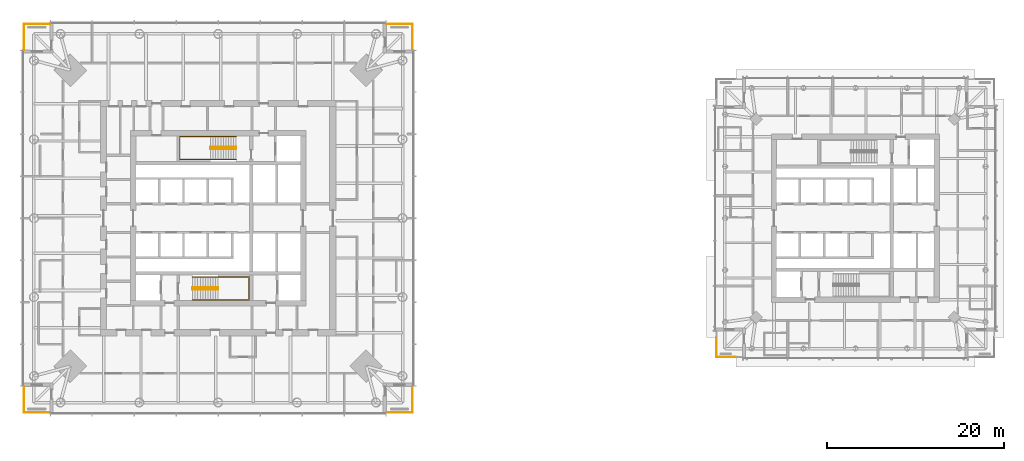
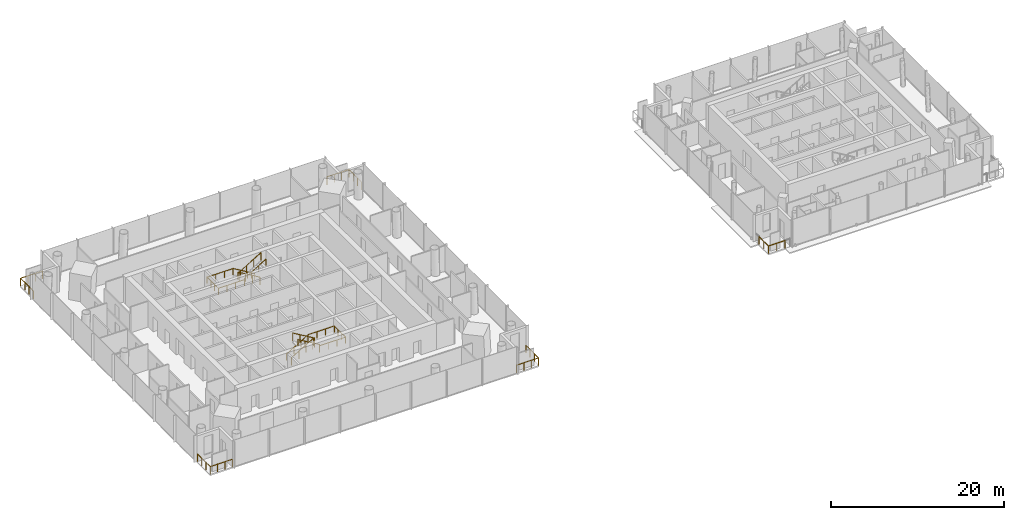
# One storey, part 18 of 19: 9 railings.
"""IFC4 building model written with IfcOpenShell, lengths in metres."""

from ifc_helpers import new_model, si_unit, direction, frame, origin, origin_2d, place, context, subcontext, project, spatial, circle, extrude, material, type_object, element, save


model = new_model("IFC4")

# Units and contexts
model_context = context("Model", 3, precision=1e-05, world=origin(), true_north=direction((0.0, 1.0)))
body_context = subcontext(model_context, "Body", "Model", "MODEL_VIEW")
ifc_project = project(units=[si_unit("LENGTHUNIT", "METRE"), si_unit("AREAUNIT", "SQUARE_METRE"), si_unit("VOLUMEUNIT", "CUBIC_METRE"), si_unit("PLANEANGLEUNIT", "RADIAN"), si_unit("MASSUNIT", "GRAM", prefix="KILO")], contexts=[model_context])

# Site, building, storey
site_placement = place(None, origin())
site = spatial("IfcSite", under=ifc_project, at=site_placement, CompositionType="ELEMENT")
building_placement = place(site_placement, origin())
building = spatial("IfcBuilding", under=site, at=building_placement, Name="Ostroluk Exchange", CompositionType="ELEMENT")
storey_placement = place(building_placement, frame((0.0, 0.0, 119.800048828125)))
storey = spatial("IfcBuildingStorey", under=building, at=storey_placement, Name="L30", CompositionType="ELEMENT", Elevation=119.800048828125)

# Railings
ifc_material_1 = material(Name="Stainless steel", Category="steel")
railing_type_1 = type_object("IfcRailingType", Name="Guard 1100 stainless steel", PredefinedType="GUARDRAIL", material=ifc_material_1)
railing_1_placement = place(storey_placement, frame((64.0, 24.050048828125, 0.0)))
element("IfcRailing", 1, at=railing_1_placement, inside=storey, type_object=railing_type_1, Name="Office tower SE balcony guard L30", PredefinedType="GUARDRAIL", context=body_context, shape_type="SweptSolid", body=[
    extrude(circle(Radius=0.02392578125, at=origin_2d()), frame((0.0, 0.0, 1.076171875), z_axis=(1.0, 0.0, 0.0), x_axis=(0.0, 1.0, 0.0)), (0.0, 0.0, 1.0), 2.949951171875),
    extrude(circle(Radius=0.02392578125, at=origin_2d()), frame((2.949951171875, 0.0, 1.076171875), z_axis=(0.0, 1.0, 0.0), x_axis=(-1.0, 0.0, 0.0)), (0.0, 0.0, 1.0), 2.949951171875),
    extrude(circle(Radius=0.02099609375, at=origin_2d()), origin(), (0.0, 0.0, 1.0), 1.052001953125),
    extrude(circle(Radius=0.02099609375, at=origin_2d()), frame((0.9833984375, 0.0, 0.0)), (0.0, 0.0, 1.0), 1.052001953125),
    extrude(circle(Radius=0.02099609375, at=origin_2d()), frame((1.966552734375, 0.0, 0.0)), (0.0, 0.0, 1.0), 1.052001953125),
    extrude(circle(Radius=0.02099609375, at=origin_2d()), frame((2.949951171875, 0.0, 0.0)), (0.0, 0.0, 1.0), 1.052001953125),
    extrude(circle(Radius=0.02099609375, at=origin_2d()), frame((2.949951171875, 0.9833984375, 0.0)), (0.0, 0.0, 1.0), 1.052001953125),
    extrude(circle(Radius=0.02099609375, at=origin_2d()), frame((2.949951171875, 1.966552734375, 0.0)), (0.0, 0.0, 1.0), 1.052001953125),
    extrude(circle(Radius=0.02099609375, at=origin_2d()), frame((2.949951171875, 2.949951171875, 0.0)), (0.0, 0.0, 1.0), 1.052001953125),
])
railing_2_placement = place(storey_placement, frame((64.0, 67.949951171875, 0.0)))
element("IfcRailing", 2, at=railing_2_placement, inside=storey, type_object=railing_type_1, Name="Office tower NE balcony guard L30", PredefinedType="GUARDRAIL", context=body_context, shape_type="SweptSolid", body=[
    extrude(circle(Radius=0.02392578125, at=origin_2d()), frame((0.0, 0.0, 1.076171875), z_axis=(1.0, 0.0, 0.0), x_axis=(0.0, 1.0, 0.0)), (0.0, 0.0, 1.0), 2.949951171875),
    extrude(circle(Radius=0.02392578125, at=origin_2d()), frame((2.949951171875, 0.0, 1.076171875), z_axis=(0.0, -1.0, 0.0), x_axis=(1.0, 0.0, 0.0)), (0.0, 0.0, 1.0), 2.949951171875),
    extrude(circle(Radius=0.02099609375, at=origin_2d()), origin(), (0.0, 0.0, 1.0), 1.052001953125),
    extrude(circle(Radius=0.02099609375, at=origin_2d()), frame((0.9833984375, 0.0, 0.0)), (0.0, 0.0, 1.0), 1.052001953125),
    extrude(circle(Radius=0.02099609375, at=origin_2d()), frame((1.966552734375, 0.0, 0.0)), (0.0, 0.0, 1.0), 1.052001953125),
    extrude(circle(Radius=0.02099609375, at=origin_2d()), frame((2.949951171875, 0.0, 0.0)), (0.0, 0.0, 1.0), 1.052001953125),
    extrude(circle(Radius=0.02099609375, at=origin_2d()), frame((2.949951171875, -0.9833984375, 0.0)), (0.0, 0.0, 1.0), 1.052001953125),
    extrude(circle(Radius=0.02099609375, at=origin_2d()), frame((2.949951171875, -1.966552734375, 0.0)), (0.0, 0.0, 1.0), 1.052001953125),
    extrude(circle(Radius=0.02099609375, at=origin_2d()), frame((2.949951171875, -2.949951171875, 0.0)), (0.0, 0.0, 1.0), 1.052001953125),
])
railing_3_placement = place(storey_placement, frame((26.0, 67.949951171875, 0.0)))
element("IfcRailing", 3, at=railing_3_placement, inside=storey, type_object=railing_type_1, Name="Office tower NW balcony guard L30", PredefinedType="GUARDRAIL", context=body_context, shape_type="SweptSolid", body=[
    extrude(circle(Radius=0.02392578125, at=origin_2d()), frame((0.0, 0.0, 1.076171875), z_axis=(-1.0, 0.0, 0.0), x_axis=(0.0, -1.0, 0.0)), (0.0, 0.0, 1.0), 2.949951171875),
    extrude(circle(Radius=0.02392578125, at=origin_2d()), frame((-2.949951171875, 0.0, 1.076171875), z_axis=(0.0, -1.0, 0.0), x_axis=(1.0, 0.0, 0.0)), (0.0, 0.0, 1.0), 2.949951171875),
    extrude(circle(Radius=0.02099609375, at=origin_2d()), origin(), (0.0, 0.0, 1.0), 1.052001953125),
    extrude(circle(Radius=0.02099609375, at=origin_2d()), frame((-0.9833984375, 0.0, 0.0)), (0.0, 0.0, 1.0), 1.052001953125),
    extrude(circle(Radius=0.02099609375, at=origin_2d()), frame((-1.966552734375, 0.0, 0.0)), (0.0, 0.0, 1.0), 1.052001953125),
    extrude(circle(Radius=0.02099609375, at=origin_2d()), frame((-2.949951171875, 0.0, 0.0)), (0.0, 0.0, 1.0), 1.052001953125),
    extrude(circle(Radius=0.02099609375, at=origin_2d()), frame((-2.949951171875, -0.9833984375, 0.0)), (0.0, 0.0, 1.0), 1.052001953125),
    extrude(circle(Radius=0.02099609375, at=origin_2d()), frame((-2.949951171875, -1.966552734375, 0.0)), (0.0, 0.0, 1.0), 1.052001953125),
    extrude(circle(Radius=0.02099609375, at=origin_2d()), frame((-2.949951171875, -2.949951171875, 0.0)), (0.0, 0.0, 1.0), 1.052001953125),
])
railing_4_placement = place(storey_placement, frame((26.0, 24.050048828125, 0.0)))
element("IfcRailing", 4, at=railing_4_placement, inside=storey, type_object=railing_type_1, Name="Office tower SW balcony guard L30", PredefinedType="GUARDRAIL", context=body_context, shape_type="SweptSolid", body=[
    extrude(circle(Radius=0.02392578125, at=origin_2d()), frame((0.0, 0.0, 1.076171875), z_axis=(-1.0, 0.0, 0.0), x_axis=(0.0, -1.0, 0.0)), (0.0, 0.0, 1.0), 2.949951171875),
    extrude(circle(Radius=0.02392578125, at=origin_2d()), frame((-2.949951171875, 0.0, 1.076171875), z_axis=(0.0, 1.0, 0.0), x_axis=(-1.0, 0.0, 0.0)), (0.0, 0.0, 1.0), 2.949951171875),
    extrude(circle(Radius=0.02099609375, at=origin_2d()), origin(), (0.0, 0.0, 1.0), 1.052001953125),
    extrude(circle(Radius=0.02099609375, at=origin_2d()), frame((-0.9833984375, 0.0, 0.0)), (0.0, 0.0, 1.0), 1.052001953125),
    extrude(circle(Radius=0.02099609375, at=origin_2d()), frame((-1.966552734375, 0.0, 0.0)), (0.0, 0.0, 1.0), 1.052001953125),
    extrude(circle(Radius=0.02099609375, at=origin_2d()), frame((-2.949951171875, 0.0, 0.0)), (0.0, 0.0, 1.0), 1.052001953125),
    extrude(circle(Radius=0.02099609375, at=origin_2d()), frame((-2.949951171875, 0.9833984375, 0.0)), (0.0, 0.0, 1.0), 1.052001953125),
    extrude(circle(Radius=0.02099609375, at=origin_2d()), frame((-2.949951171875, 1.966552734375, 0.0)), (0.0, 0.0, 1.0), 1.052001953125),
    extrude(circle(Radius=0.02099609375, at=origin_2d()), frame((-2.949951171875, 2.949951171875, 0.0)), (0.0, 0.0, 1.0), 1.052001953125),
])
railing_5_placement = place(storey_placement, frame((103.5, 30.300048828125, 0.0)))
element("IfcRailing", 5, at=railing_5_placement, inside=storey, type_object=railing_type_1, Name="Hotel tower SW balcony guard L30", PredefinedType="GUARDRAIL", context=body_context, shape_type="SweptSolid", body=[
    extrude(circle(Radius=0.02392578125, at=origin_2d()), frame((0.0, 0.0, 1.076171875), z_axis=(-1.0, 0.0, 0.0), x_axis=(0.0, -1.0, 0.0)), (0.0, 0.0, 1.0), 2.199951171875),
    extrude(circle(Radius=0.02392578125, at=origin_2d()), frame((-2.199951171875, 0.0, 1.076171875), z_axis=(0.0, 1.0, 0.0), x_axis=(-1.0, 0.0, 0.0)), (0.0, 0.0, 1.0), 2.199951171875),
    extrude(circle(Radius=0.02099609375, at=origin_2d()), origin(), (0.0, 0.0, 1.0), 1.052001953125),
    extrude(circle(Radius=0.02099609375, at=origin_2d()), frame((-1.10009765625, 0.0, 0.0)), (0.0, 0.0, 1.0), 1.052001953125),
    extrude(circle(Radius=0.02099609375, at=origin_2d()), frame((-2.199951171875, 0.0, 0.0)), (0.0, 0.0, 1.0), 1.052001953125),
    extrude(circle(Radius=0.02099609375, at=origin_2d()), frame((-2.199951171875, 1.10009765625, 0.0)), (0.0, 0.0, 1.0), 1.052001953125),
    extrude(circle(Radius=0.02099609375, at=origin_2d()), frame((-2.199951171875, 2.199951171875, 0.0)), (0.0, 0.0, 1.0), 1.052001953125),
])
ifc_material_2 = material(Name="Steel S355", Category="steel")
railing_type_2 = type_object("IfcRailingType", Name="Stair guard 1100", PredefinedType="GUARDRAIL", material=ifc_material_2)
railing_6_placement = place(storey_placement, frame((42.10009765625, 38.179931640625, 0.172607421875)))
element("IfcRailing", 6, at=railing_6_placement, inside=storey, type_object=railing_type_2, Name="Stair T1-S1 guard L30", PredefinedType="GUARDRAIL", context=body_context, shape_type="SweptSolid", body=[
    extrude(circle(Radius=0.02392578125, at=origin_2d()), frame((0.0, 0.0, 1.076171875), z_axis=(0.859141464434, 0.0, 0.511738159696), x_axis=(0.0, 1.0, 0.0)), (0.0, 0.0, 1.0), 3.375244140625),
    extrude(circle(Radius=0.02392578125, at=origin_2d()), frame((2.89990234375, 0.0, 2.80322265625), z_axis=(0.0, -1.0, 0.0), x_axis=(1.0, 0.0, 0.0)), (0.0, 0.0, 1.0), 0.260009765625),
    extrude(circle(Radius=0.02392578125, at=origin_2d()), frame((2.89990234375, -0.260009765625, 2.80322265625), z_axis=(0.0, 0.0, 1.0), x_axis=(1.0, 0.0, 0.0)), (0.0, 0.0, 1.0), 0.1728515625),
    extrude(circle(Radius=0.02392578125, at=origin_2d()), frame((2.89990234375, -0.260009765625, 2.97607421875), z_axis=(-0.859141464434, 0.0, 0.511738159696), x_axis=(0.0, -1.0, 0.0)), (0.0, 0.0, 1.0), 3.375244140625),
    extrude(circle(Radius=0.02099609375, at=origin_2d()), origin(), (0.0, 0.0, 1.0), 1.052001953125),
    extrude(circle(Radius=0.02099609375, at=origin_2d()), frame((0.966552734375, 0.0, 0.57568359375)), (0.0, 0.0, 1.0), 1.052001953125),
    extrude(circle(Radius=0.02099609375, at=origin_2d()), frame((1.933349609375, 0.0, 1.151611328125)), (0.0, 0.0, 1.0), 1.052001953125),
    extrude(circle(Radius=0.02099609375, at=origin_2d()), frame((2.89990234375, 0.0, 1.727294921875)), (0.0, 0.0, 1.0), 1.052001953125),
    extrude(circle(Radius=0.02099609375, at=origin_2d()), frame((2.89990234375, -0.260009765625, 1.727294921875)), (0.0, 0.0, 1.0), 1.052001953125),
    extrude(circle(Radius=0.02099609375, at=origin_2d()), frame((2.89990234375, -0.260009765625, 1.900146484375)), (0.0, 0.0, 1.0), 1.052001953125),
    extrude(circle(Radius=0.02099609375, at=origin_2d()), frame((1.933349609375, -0.260009765625, 2.475830078125)), (0.0, 0.0, 1.0), 1.052001953125),
    extrude(circle(Radius=0.02099609375, at=origin_2d()), frame((0.966552734375, -0.260009765625, 3.0517578125)), (0.0, 0.0, 1.0), 1.052001953125),
    extrude(circle(Radius=0.02099609375, at=origin_2d()), frame((0.0, -0.260009765625, 3.62744140625)), (0.0, 0.0, 1.0), 1.052001953125),
])
railing_7_placement = place(storey_placement, frame((47.030029296875, 54.080078125, 0.172607421875)))
element("IfcRailing", 7, at=railing_7_placement, inside=storey, type_object=railing_type_2, Name="Stair T1-S2 guard L30", PredefinedType="GUARDRAIL", context=body_context, shape_type="SweptSolid", body=[
    extrude(circle(Radius=0.02392578125, at=origin_2d()), frame((0.0, 0.0, 1.076171875), z_axis=(-0.859160404282, 0.0, 0.51170636083), x_axis=(0.0, -1.0, 0.0)), (0.0, 0.0, 1.0), 3.37548828125),
    extrude(circle(Radius=0.02392578125, at=origin_2d()), frame((-2.900146484375, 0.0, 2.80322265625), z_axis=(0.0, -1.0, 0.0), x_axis=(1.0, 0.0, 0.0)), (0.0, 0.0, 1.0), 0.260009765625),
    extrude(circle(Radius=0.02392578125, at=origin_2d()), frame((-2.900146484375, -0.260009765625, 2.80322265625), z_axis=(0.0, 0.0, 1.0), x_axis=(1.0, 0.0, 0.0)), (0.0, 0.0, 1.0), 0.1728515625),
    extrude(circle(Radius=0.02392578125, at=origin_2d()), frame((-2.900146484375, -0.260009765625, 2.97607421875), z_axis=(0.859160404282, 0.0, 0.51170636083), x_axis=(0.0, 1.0, 0.0)), (0.0, 0.0, 1.0), 3.37548828125),
    extrude(circle(Radius=0.02099609375, at=origin_2d()), origin(), (0.0, 0.0, 1.0), 1.052001953125),
    extrude(circle(Radius=0.02099609375, at=origin_2d()), frame((-0.966796875, 0.0, 0.57568359375)), (0.0, 0.0, 1.0), 1.052001953125),
    extrude(circle(Radius=0.02099609375, at=origin_2d()), frame((-1.933349609375, 0.0, 1.151611328125)), (0.0, 0.0, 1.0), 1.052001953125),
    extrude(circle(Radius=0.02099609375, at=origin_2d()), frame((-2.900146484375, 0.0, 1.727294921875)), (0.0, 0.0, 1.0), 1.052001953125),
    extrude(circle(Radius=0.02099609375, at=origin_2d()), frame((-2.900146484375, -0.260009765625, 1.727294921875)), (0.0, 0.0, 1.0), 1.052001953125),
    extrude(circle(Radius=0.02099609375, at=origin_2d()), frame((-2.900146484375, -0.260009765625, 1.900146484375)), (0.0, 0.0, 1.0), 1.052001953125),
    extrude(circle(Radius=0.02099609375, at=origin_2d()), frame((-1.933349609375, -0.260009765625, 2.475830078125)), (0.0, 0.0, 1.0), 1.052001953125),
    extrude(circle(Radius=0.02099609375, at=origin_2d()), frame((-0.966796875, -0.260009765625, 3.0517578125)), (0.0, 0.0, 1.0), 1.052001953125),
    extrude(circle(Radius=0.02099609375, at=origin_2d()), frame((0.0, -0.260009765625, 3.62744140625)), (0.0, 0.0, 1.0), 1.052001953125),
])
ifc_material_3 = material(Name="Stainless steel", Category="steel")
railing_type_3 = type_object("IfcRailingType", Name="Stair handrail 900", PredefinedType="HANDRAIL", material=ifc_material_3)
railing_8_placement = place(storey_placement, frame((42.10009765625, 39.35009765625, 0.172607421875)))
element("IfcRailing", 8, at=railing_8_placement, inside=storey, type_object=railing_type_3, Name="Stair T1-S1 handrail L30", PredefinedType="HANDRAIL", context=body_context, shape_type="SweptSolid", body=[
    extrude(circle(Radius=0.02392578125, at=origin_2d()), frame((0.0, 0.0, 0.8759765625), z_axis=(0.859141464434, 0.0, 0.511738159696), x_axis=(0.0, 1.0, 0.0)), (0.0, 0.0, 1.0), 3.375244140625),
    extrude(circle(Radius=0.02392578125, at=origin_2d()), frame((2.89990234375, 0.0, 2.60302734375), z_axis=(1.0, 0.0, 0.0), x_axis=(0.0, 1.0, 0.0)), (0.0, 0.0, 1.0), 3.47998046875),
    extrude(circle(Radius=0.02392578125, at=origin_2d()), frame((6.3798828125, 0.0, 2.60302734375), z_axis=(0.0, -1.0, 0.0), x_axis=(1.0, 0.0, 0.0)), (0.0, 0.0, 1.0), 2.60009765625),
    extrude(circle(Radius=0.02392578125, at=origin_2d()), frame((6.3798828125, -2.60009765625, 2.60302734375), z_axis=(-1.0, 0.0, 0.0), x_axis=(0.0, -1.0, 0.0)), (0.0, 0.0, 1.0), 3.47998046875),
    extrude(circle(Radius=0.02392578125, at=origin_2d()), frame((2.89990234375, -2.60009765625, 2.60302734375), z_axis=(0.0, 0.0, 1.0), x_axis=(1.0, 0.0, 0.0)), (0.0, 0.0, 1.0), 0.1728515625),
    extrude(circle(Radius=0.02392578125, at=origin_2d()), frame((2.89990234375, -2.60009765625, 2.77587890625), z_axis=(-0.859141464434, 0.0, 0.511738159696), x_axis=(0.0, -1.0, 0.0)), (0.0, 0.0, 1.0), 3.375244140625),
    extrude(circle(Radius=0.02099609375, at=origin_2d()), origin(), (0.0, 0.0, 1.0), 0.851806640625),
    extrude(circle(Radius=0.02099609375, at=origin_2d()), frame((0.966552734375, 0.0, 0.57568359375)), (0.0, 0.0, 1.0), 0.851806640625),
    extrude(circle(Radius=0.02099609375, at=origin_2d()), frame((1.933349609375, 0.0, 1.151611328125)), (0.0, 0.0, 1.0), 0.851806640625),
    extrude(circle(Radius=0.02099609375, at=origin_2d()), frame((2.89990234375, 0.0, 1.727294921875)), (0.0, 0.0, 1.0), 0.851806640625),
    extrude(circle(Radius=0.02099609375, at=origin_2d()), frame((4.059814453125, 0.0, 1.727294921875)), (0.0, 0.0, 1.0), 0.851806640625),
    extrude(circle(Radius=0.02099609375, at=origin_2d()), frame((5.219970703125, 0.0, 1.727294921875)), (0.0, 0.0, 1.0), 0.851806640625),
    extrude(circle(Radius=0.02099609375, at=origin_2d()), frame((6.3798828125, 0.0, 1.727294921875)), (0.0, 0.0, 1.0), 0.851806640625),
    extrude(circle(Radius=0.02099609375, at=origin_2d()), frame((6.3798828125, -0.86669921875, 1.727294921875)), (0.0, 0.0, 1.0), 0.851806640625),
    extrude(circle(Radius=0.02099609375, at=origin_2d()), frame((6.3798828125, -1.7333984375, 1.727294921875)), (0.0, 0.0, 1.0), 0.851806640625),
    extrude(circle(Radius=0.02099609375, at=origin_2d()), frame((6.3798828125, -2.60009765625, 1.727294921875)), (0.0, 0.0, 1.0), 0.851806640625),
    extrude(circle(Radius=0.02099609375, at=origin_2d()), frame((5.219970703125, -2.60009765625, 1.727294921875)), (0.0, 0.0, 1.0), 0.851806640625),
    extrude(circle(Radius=0.02099609375, at=origin_2d()), frame((4.059814453125, -2.60009765625, 1.727294921875)), (0.0, 0.0, 1.0), 0.851806640625),
    extrude(circle(Radius=0.02099609375, at=origin_2d()), frame((2.89990234375, -2.60009765625, 1.727294921875)), (0.0, 0.0, 1.0), 0.851806640625),
    extrude(circle(Radius=0.02099609375, at=origin_2d()), frame((2.89990234375, -2.60009765625, 1.900146484375)), (0.0, 0.0, 1.0), 0.851806640625),
    extrude(circle(Radius=0.02099609375, at=origin_2d()), frame((1.933349609375, -2.60009765625, 2.475830078125)), (0.0, 0.0, 1.0), 0.851806640625),
    extrude(circle(Radius=0.02099609375, at=origin_2d()), frame((0.966552734375, -2.60009765625, 3.0517578125)), (0.0, 0.0, 1.0), 0.851806640625),
    extrude(circle(Radius=0.02099609375, at=origin_2d()), frame((0.0, -2.60009765625, 3.62744140625)), (0.0, 0.0, 1.0), 0.851806640625),
])
railing_9_placement = place(storey_placement, frame((47.030029296875, 55.25, 0.172607421875)))
element("IfcRailing", 9, at=railing_9_placement, inside=storey, type_object=railing_type_3, Name="Stair T1-S2 handrail L30", PredefinedType="HANDRAIL", context=body_context, shape_type="SweptSolid", body=[
    extrude(circle(Radius=0.02392578125, at=origin_2d()), frame((0.0, 0.0, 0.8759765625), z_axis=(-0.859160404282, 0.0, 0.51170636083), x_axis=(0.0, -1.0, 0.0)), (0.0, 0.0, 1.0), 3.37548828125),
    extrude(circle(Radius=0.02392578125, at=origin_2d()), frame((-2.900146484375, 0.0, 2.60302734375), z_axis=(-1.0, 0.0, 0.0), x_axis=(0.0, -1.0, 0.0)), (0.0, 0.0, 1.0), 3.47998046875),
    extrude(circle(Radius=0.02392578125, at=origin_2d()), frame((-6.380126953125, 0.0, 2.60302734375), z_axis=(0.0, -1.0, 0.0), x_axis=(1.0, 0.0, 0.0)), (0.0, 0.0, 1.0), 2.60009765625),
    extrude(circle(Radius=0.02392578125, at=origin_2d()), frame((-6.380126953125, -2.60009765625, 2.60302734375), z_axis=(1.0, 0.0, 0.0), x_axis=(0.0, 1.0, 0.0)), (0.0, 0.0, 1.0), 3.47998046875),
    extrude(circle(Radius=0.02392578125, at=origin_2d()), frame((-2.900146484375, -2.60009765625, 2.60302734375), z_axis=(0.0, 0.0, 1.0), x_axis=(1.0, 0.0, 0.0)), (0.0, 0.0, 1.0), 0.1728515625),
    extrude(circle(Radius=0.02392578125, at=origin_2d()), frame((-2.900146484375, -2.60009765625, 2.77587890625), z_axis=(0.859160404282, 0.0, 0.51170636083), x_axis=(0.0, 1.0, 0.0)), (0.0, 0.0, 1.0), 3.37548828125),
    extrude(circle(Radius=0.02099609375, at=origin_2d()), origin(), (0.0, 0.0, 1.0), 0.851806640625),
    extrude(circle(Radius=0.02099609375, at=origin_2d()), frame((-0.966796875, 0.0, 0.57568359375)), (0.0, 0.0, 1.0), 0.851806640625),
    extrude(circle(Radius=0.02099609375, at=origin_2d()), frame((-1.933349609375, 0.0, 1.151611328125)), (0.0, 0.0, 1.0), 0.851806640625),
    extrude(circle(Radius=0.02099609375, at=origin_2d()), frame((-2.900146484375, 0.0, 1.727294921875)), (0.0, 0.0, 1.0), 0.851806640625),
    extrude(circle(Radius=0.02099609375, at=origin_2d()), frame((-4.06005859375, 0.0, 1.727294921875)), (0.0, 0.0, 1.0), 0.851806640625),
    extrude(circle(Radius=0.02099609375, at=origin_2d()), frame((-5.22021484375, 0.0, 1.727294921875)), (0.0, 0.0, 1.0), 0.851806640625),
    extrude(circle(Radius=0.02099609375, at=origin_2d()), frame((-6.380126953125, 0.0, 1.727294921875)), (0.0, 0.0, 1.0), 0.851806640625),
    extrude(circle(Radius=0.02099609375, at=origin_2d()), frame((-6.380126953125, -0.86669921875, 1.727294921875)), (0.0, 0.0, 1.0), 0.851806640625),
    extrude(circle(Radius=0.02099609375, at=origin_2d()), frame((-6.380126953125, -1.7333984375, 1.727294921875)), (0.0, 0.0, 1.0), 0.851806640625),
    extrude(circle(Radius=0.02099609375, at=origin_2d()), frame((-6.380126953125, -2.60009765625, 1.727294921875)), (0.0, 0.0, 1.0), 0.851806640625),
    extrude(circle(Radius=0.02099609375, at=origin_2d()), frame((-5.22021484375, -2.60009765625, 1.727294921875)), (0.0, 0.0, 1.0), 0.851806640625),
    extrude(circle(Radius=0.02099609375, at=origin_2d()), frame((-4.06005859375, -2.60009765625, 1.727294921875)), (0.0, 0.0, 1.0), 0.851806640625),
    extrude(circle(Radius=0.02099609375, at=origin_2d()), frame((-2.900146484375, -2.60009765625, 1.727294921875)), (0.0, 0.0, 1.0), 0.851806640625),
    extrude(circle(Radius=0.02099609375, at=origin_2d()), frame((-2.900146484375, -2.60009765625, 1.900146484375)), (0.0, 0.0, 1.0), 0.851806640625),
    extrude(circle(Radius=0.02099609375, at=origin_2d()), frame((-1.933349609375, -2.60009765625, 2.475830078125)), (0.0, 0.0, 1.0), 0.851806640625),
    extrude(circle(Radius=0.02099609375, at=origin_2d()), frame((-0.966796875, -2.60009765625, 3.0517578125)), (0.0, 0.0, 1.0), 0.851806640625),
    extrude(circle(Radius=0.02099609375, at=origin_2d()), frame((0.0, -2.60009765625, 3.62744140625)), (0.0, 0.0, 1.0), 0.851806640625),
])

save(model, "model.ifc")
